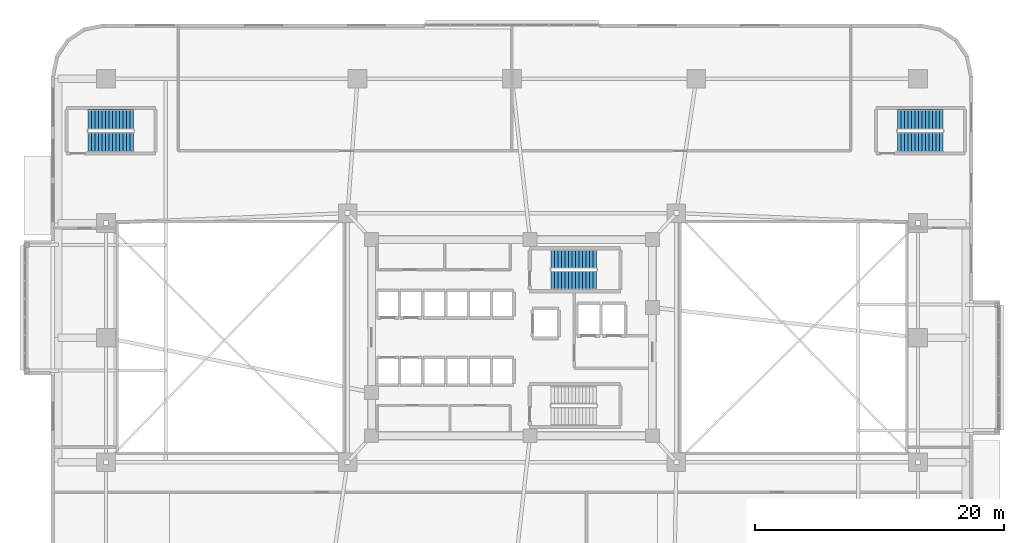
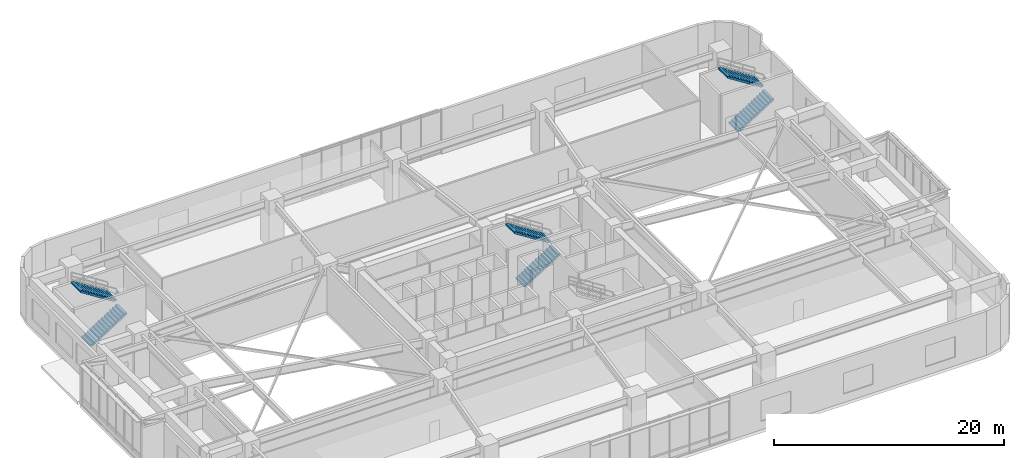
# One storey, part 22 of 26: 6 stair flights, 3 elements without a shape of their own.
"""IFC4 building model written with IfcOpenShell, lengths in metres."""

from ifc_helpers import new_model, si_unit, direction, frame, origin, place, context, subcontext, project, spatial, polyline, outline, extrude, material, type_object, element, aggregate, save


model = new_model("IFC4")

# Units and contexts
model_context = context("Model", 3, precision=1e-05, world=origin(), true_north=direction((0.0, 1.0)))
body_context = subcontext(model_context, "Body", "Model", "MODEL_VIEW")
ifc_project = project(units=[si_unit("LENGTHUNIT", "METRE"), si_unit("AREAUNIT", "SQUARE_METRE"), si_unit("VOLUMEUNIT", "CUBIC_METRE"), si_unit("PLANEANGLEUNIT", "RADIAN"), si_unit("MASSUNIT", "GRAM", prefix="KILO")], contexts=[model_context])

# Site, building, storey
site_placement = place(None, origin())
site = spatial("IfcSite", under=ifc_project, at=site_placement, CompositionType="ELEMENT")
building_placement = place(site_placement, origin())
building = spatial("IfcBuilding", under=site, at=building_placement, Name="Zulverin Broadcast Headquarters", CompositionType="ELEMENT")
storey_placement = place(building_placement, frame((0.0, 0.0, 15.0)))
storey = spatial("IfcBuildingStorey", under=building, at=storey_placement, Name="L03", CompositionType="ELEMENT", Elevation=15.0)

# Stair, stair flights
ifc_material = material(Name="Concrete C40/50", Category="concrete")
stair_type_1 = type_object("IfcStairType", Name="ST-CORE-1500", PredefinedType="HALF_TURN_STAIR", material=ifc_material)
stair_1_placement = place(storey_placement, origin())
stair_1 = element("IfcStair", 1, at=stair_1_placement, inside=storey, type_object=stair_type_1, Name="L03 Core Exit Stair ST-1", PredefinedType="HALF_TURN_STAIR")
stair_flight_type_1 = type_object("IfcStairFlightType", Name="SF-CORE-1500", PredefinedType="STRAIGHT", material=ifc_material)
stair_flight_1_placement = place(storey_placement, frame((40.1298828125, 29.800048828125, 0.0), z_axis=(0.0, 0.0, 1.0), x_axis=(1.0, 0.0, 0.0)))
stair_flight_1 = element("IfcStairFlight", 2, at=stair_flight_1_placement, type_object=stair_flight_type_1, Name="ST-1 flight 1", NumberOfRisers=14, NumberOfTreads=13, PredefinedType="STRAIGHT", RiserHeight=0.178571429, TreadLength=0.28, context=body_context, shape_type="SweptSolid", body=[
    extrude(outline(polyline([(0.0, 0.0), (0.0, 0.178466796875), (0.280029296875, 0.178466796875), (0.280029296875, 0.357177734375), (0.56005859375, 0.357177734375), (0.56005859375, 0.53564453125), (0.840087890625, 0.53564453125), (0.840087890625, 0.71435546875), (1.1201171875, 0.71435546875), (1.1201171875, 0.892822265625), (1.39990234375, 0.892822265625), (1.39990234375, 1.071533203125), (1.679931640625, 1.071533203125), (1.679931640625, 1.25), (1.9599609375, 1.25), (1.9599609375, 1.428466796875), (2.239990234375, 1.428466796875), (2.239990234375, 1.607177734375), (2.52001953125, 1.607177734375), (2.52001953125, 1.78564453125), (2.800048828125, 1.78564453125), (2.800048828125, 1.96435546875), (3.080078125, 1.96435546875), (3.080078125, 2.142822265625), (3.360107421875, 2.142822265625), (3.360107421875, 2.321533203125), (3.639892578125, 2.321533203125), (3.639892578125, 2.5), (3.639892578125, 2.1435546875), (0.27880859375, 0.0), (0.0, 0.0)])), frame((0.0, 0.75, 0.0), z_axis=(0.0, -1.0, 0.0), x_axis=(1.0, 0.0, 0.0)), (0.0, 0.0, 1.0), 1.5),
])
stair_flight_2_placement = place(storey_placement, frame((43.77001953125, 31.5, 2.5), z_axis=(0.0, 0.0, 1.0), x_axis=(-1.0, 0.0, 0.0)))
stair_flight_2 = element("IfcStairFlight", 3, at=stair_flight_2_placement, type_object=stair_flight_type_1, Name="ST-1 flight 2", NumberOfRisers=14, NumberOfTreads=13, PredefinedType="STRAIGHT", RiserHeight=0.178571429, TreadLength=0.28, context=body_context, shape_type="SweptSolid", body=[
    extrude(outline(polyline([(0.0, 0.0), (0.0, 0.178466796875), (0.280029296875, 0.178466796875), (0.280029296875, 0.357177734375), (0.56005859375, 0.357177734375), (0.56005859375, 0.53564453125), (0.840087890625, 0.53564453125), (0.840087890625, 0.71435546875), (1.1201171875, 0.71435546875), (1.1201171875, 0.892822265625), (1.39990234375, 0.892822265625), (1.39990234375, 1.071533203125), (1.679931640625, 1.071533203125), (1.679931640625, 1.25), (1.9599609375, 1.25), (1.9599609375, 1.428466796875), (2.239990234375, 1.428466796875), (2.239990234375, 1.607177734375), (2.52001953125, 1.607177734375), (2.52001953125, 1.78564453125), (2.800048828125, 1.78564453125), (2.800048828125, 1.96435546875), (3.080078125, 1.96435546875), (3.080078125, 2.142822265625), (3.360107421875, 2.142822265625), (3.360107421875, 2.321533203125), (3.639892578125, 2.321533203125), (3.639892578125, 2.5), (3.639892578125, 2.1435546875), (0.27880859375, 0.0), (0.0, 0.0)])), frame((0.0, 0.75, 0.0), z_axis=(0.0, -1.0, 0.0), x_axis=(1.0, 0.0, 0.0)), (0.0, 0.0, 1.0), 1.5),
])
aggregate(stair_1, [stair_flight_1, stair_flight_2])

stair_type_2 = type_object("IfcStairType", Name="ST-POD-1600", PredefinedType="HALF_TURN_STAIR", material=ifc_material)
stair_2_placement = place(storey_placement, origin())
stair_2 = element("IfcStair", 4, at=stair_2_placement, inside=storey, type_object=stair_type_2, Name="L03 Podium Exit Stair ST-3", PredefinedType="HALF_TURN_STAIR")
stair_flight_type_2 = type_object("IfcStairFlightType", Name="SF-POD-1600", PredefinedType="STRAIGHT", material=ifc_material)
stair_flight_3_placement = place(storey_placement, frame((2.969970703125, 40.89990234375, 0.0), z_axis=(0.0, 0.0, 1.0), x_axis=(1.0, 0.0, 0.0)))
stair_flight_3 = element("IfcStairFlight", 5, at=stair_flight_3_placement, type_object=stair_flight_type_2, Name="ST-3 flight 1", NumberOfRisers=14, NumberOfTreads=13, PredefinedType="STRAIGHT", RiserHeight=0.178571429, TreadLength=0.28, context=body_context, shape_type="SweptSolid", body=[
    extrude(outline(polyline([(0.0, 0.0), (0.0, 0.178466796875), (0.280029296875, 0.178466796875), (0.280029296875, 0.357177734375), (0.56005859375, 0.357177734375), (0.56005859375, 0.53564453125), (0.840087890625, 0.53564453125), (0.840087890625, 0.71435546875), (1.1201171875, 0.71435546875), (1.1201171875, 0.892822265625), (1.39990234375, 0.892822265625), (1.39990234375, 1.071533203125), (1.679931640625, 1.071533203125), (1.679931640625, 1.25), (1.9599609375, 1.25), (1.9599609375, 1.428466796875), (2.239990234375, 1.428466796875), (2.239990234375, 1.607177734375), (2.52001953125, 1.607177734375), (2.52001953125, 1.78564453125), (2.800048828125, 1.78564453125), (2.800048828125, 1.96435546875), (3.080078125, 1.96435546875), (3.080078125, 2.142822265625), (3.360107421875, 2.142822265625), (3.360107421875, 2.321533203125), (3.639892578125, 2.321533203125), (3.639892578125, 2.5), (3.639892578125, 2.1435546875), (0.27880859375, 0.0), (0.0, 0.0)])), frame((0.0, 0.800048828125, 0.0), z_axis=(0.0, -1.0, 0.0), x_axis=(1.0, 0.0, 0.0)), (0.0, 0.0, 1.0), 1.60009765625),
])
stair_flight_4_placement = place(storey_placement, frame((6.610107421875, 42.699951171875, 2.5), z_axis=(0.0, 0.0, 1.0), x_axis=(-1.0, 0.0, 0.0)))
stair_flight_4 = element("IfcStairFlight", 6, at=stair_flight_4_placement, type_object=stair_flight_type_2, Name="ST-3 flight 2", NumberOfRisers=14, NumberOfTreads=13, PredefinedType="STRAIGHT", RiserHeight=0.178571429, TreadLength=0.28, context=body_context, shape_type="SweptSolid", body=[
    extrude(outline(polyline([(0.0, 0.0), (0.0, 0.178466796875), (0.280029296875, 0.178466796875), (0.280029296875, 0.357177734375), (0.56005859375, 0.357177734375), (0.56005859375, 0.53564453125), (0.840087890625, 0.53564453125), (0.840087890625, 0.71435546875), (1.1201171875, 0.71435546875), (1.1201171875, 0.892822265625), (1.39990234375, 0.892822265625), (1.39990234375, 1.071533203125), (1.679931640625, 1.071533203125), (1.679931640625, 1.25), (1.9599609375, 1.25), (1.9599609375, 1.428466796875), (2.239990234375, 1.428466796875), (2.239990234375, 1.607177734375), (2.52001953125, 1.607177734375), (2.52001953125, 1.78564453125), (2.800048828125, 1.78564453125), (2.800048828125, 1.96435546875), (3.080078125, 1.96435546875), (3.080078125, 2.142822265625), (3.360107421875, 2.142822265625), (3.360107421875, 2.321533203125), (3.639892578125, 2.321533203125), (3.639892578125, 2.5), (3.639892578125, 2.1435546875), (0.27880859375, 0.0), (0.0, 0.0)])), frame((0.0, 0.800048828125, 0.0), z_axis=(0.0, -1.0, 0.0), x_axis=(1.0, 0.0, 0.0)), (0.0, 0.0, 1.0), 1.60009765625),
])
aggregate(stair_2, [stair_flight_3, stair_flight_4])

stair_3_placement = place(storey_placement, origin())
stair_3 = element("IfcStair", 7, at=stair_3_placement, inside=storey, type_object=stair_type_2, Name="L03 Podium Exit Stair ST-4", PredefinedType="HALF_TURN_STAIR")
stair_flight_5_placement = place(storey_placement, frame((67.969970703125, 40.89990234375, 0.0), z_axis=(0.0, 0.0, 1.0), x_axis=(1.0, 0.0, 0.0)))
stair_flight_5 = element("IfcStairFlight", 8, at=stair_flight_5_placement, type_object=stair_flight_type_2, Name="ST-4 flight 1", NumberOfRisers=14, NumberOfTreads=13, PredefinedType="STRAIGHT", RiserHeight=0.178571429, TreadLength=0.28, context=body_context, shape_type="SweptSolid", body=[
    extrude(outline(polyline([(0.0, 0.0), (0.0, 0.178466796875), (0.280029296875, 0.178466796875), (0.280029296875, 0.357177734375), (0.56005859375, 0.357177734375), (0.56005859375, 0.53564453125), (0.840087890625, 0.53564453125), (0.840087890625, 0.71435546875), (1.1201171875, 0.71435546875), (1.1201171875, 0.892822265625), (1.39990234375, 0.892822265625), (1.39990234375, 1.071533203125), (1.679931640625, 1.071533203125), (1.679931640625, 1.25), (1.9599609375, 1.25), (1.9599609375, 1.428466796875), (2.239990234375, 1.428466796875), (2.239990234375, 1.607177734375), (2.52001953125, 1.607177734375), (2.52001953125, 1.78564453125), (2.800048828125, 1.78564453125), (2.800048828125, 1.96435546875), (3.080078125, 1.96435546875), (3.080078125, 2.142822265625), (3.360107421875, 2.142822265625), (3.360107421875, 2.321533203125), (3.639892578125, 2.321533203125), (3.639892578125, 2.5), (3.639892578125, 2.1435546875), (0.27880859375, 0.0), (0.0, 0.0)])), frame((0.0, 0.800048828125, 0.0), z_axis=(0.0, -1.0, 0.0), x_axis=(1.0, 0.0, 0.0)), (0.0, 0.0, 1.0), 1.60009765625),
])
stair_flight_6_placement = place(storey_placement, frame((71.610107421875, 42.699951171875, 2.5), z_axis=(0.0, 0.0, 1.0), x_axis=(-1.0, 0.0, 0.0)))
stair_flight_6 = element("IfcStairFlight", 9, at=stair_flight_6_placement, type_object=stair_flight_type_2, Name="ST-4 flight 2", NumberOfRisers=14, NumberOfTreads=13, PredefinedType="STRAIGHT", RiserHeight=0.178571429, TreadLength=0.28, context=body_context, shape_type="SweptSolid", body=[
    extrude(outline(polyline([(0.0, 0.0), (0.0, 0.178466796875), (0.280029296875, 0.178466796875), (0.280029296875, 0.357177734375), (0.56005859375, 0.357177734375), (0.56005859375, 0.53564453125), (0.840087890625, 0.53564453125), (0.840087890625, 0.71435546875), (1.1201171875, 0.71435546875), (1.1201171875, 0.892822265625), (1.39990234375, 0.892822265625), (1.39990234375, 1.071533203125), (1.679931640625, 1.071533203125), (1.679931640625, 1.25), (1.9599609375, 1.25), (1.9599609375, 1.428466796875), (2.239990234375, 1.428466796875), (2.239990234375, 1.607177734375), (2.52001953125, 1.607177734375), (2.52001953125, 1.78564453125), (2.800048828125, 1.78564453125), (2.800048828125, 1.96435546875), (3.080078125, 1.96435546875), (3.080078125, 2.142822265625), (3.360107421875, 2.142822265625), (3.360107421875, 2.321533203125), (3.639892578125, 2.321533203125), (3.639892578125, 2.5), (3.639892578125, 2.1435546875), (0.27880859375, 0.0), (0.0, 0.0)])), frame((0.0, 0.800048828125, 0.0), z_axis=(0.0, -1.0, 0.0), x_axis=(1.0, 0.0, 0.0)), (0.0, 0.0, 1.0), 1.60009765625),
])
aggregate(stair_3, [stair_flight_5, stair_flight_6])

save(model, "model.ifc")
